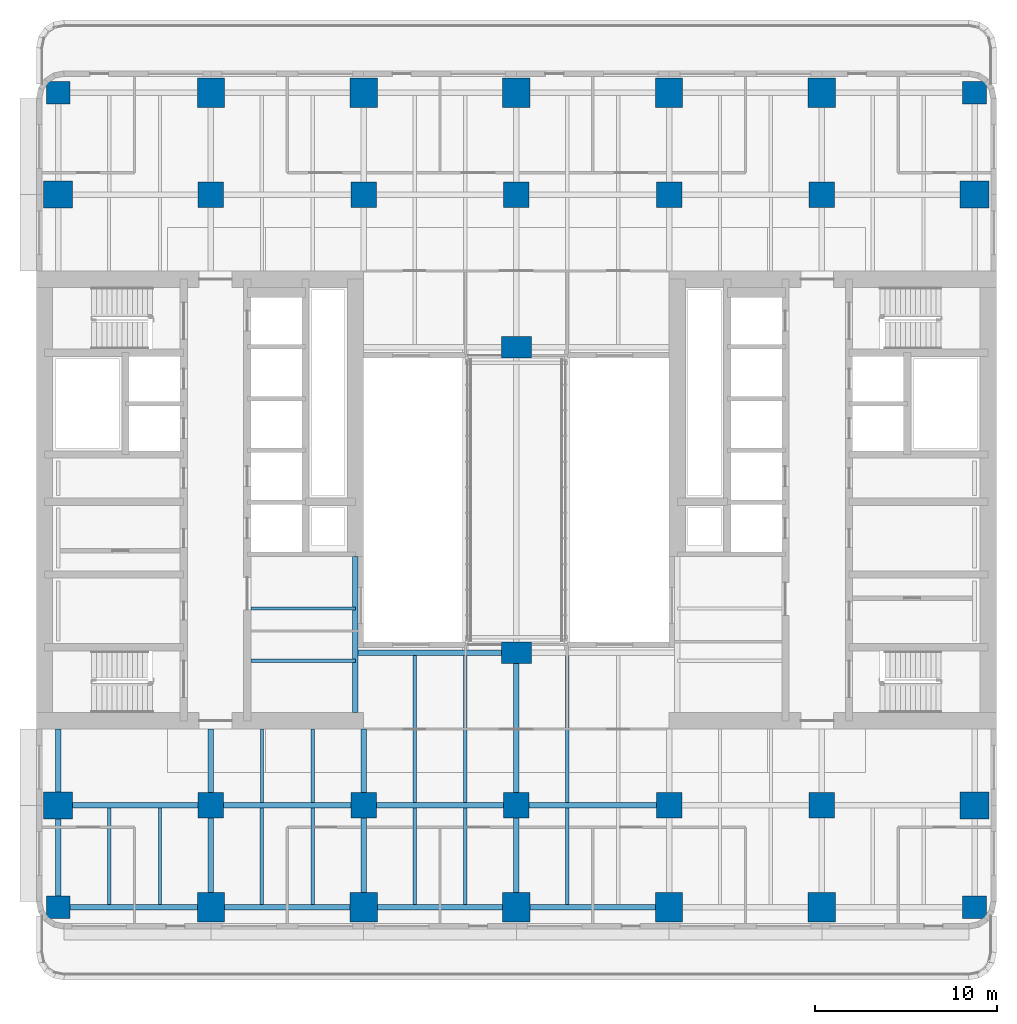
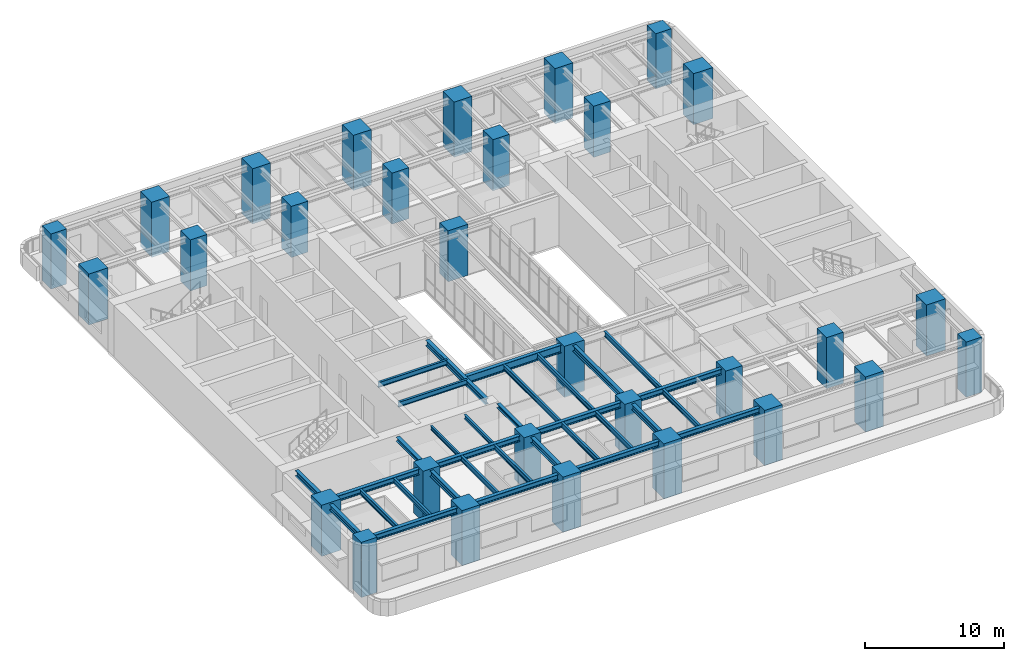
# One storey, part 1 of 17: 32 beams, 30 columns.
"""IFC4 building model written with IfcOpenShell, lengths in metres."""

from ifc_helpers import new_model, si_unit, direction, frame, origin, origin_2d, place, context, subcontext, project, spatial, rectangle, i_section, extrude, material, material_profile, profile_set, type_object, element, save


model = new_model("IFC4")

# Units and contexts
model_context = context("Model", 3, precision=1e-05, world=origin(), true_north=direction((0.0, 1.0)))
body_context = subcontext(model_context, "Body", "Model", "MODEL_VIEW")
ifc_project = project(units=[si_unit("LENGTHUNIT", "METRE"), si_unit("AREAUNIT", "SQUARE_METRE"), si_unit("VOLUMEUNIT", "CUBIC_METRE"), si_unit("PLANEANGLEUNIT", "RADIAN"), si_unit("MASSUNIT", "GRAM", prefix="KILO")], contexts=[model_context])

# Site, building, storey
site_placement = place(None, origin())
site = spatial("IfcSite", under=ifc_project, at=site_placement, CompositionType="ELEMENT")
building_placement = place(site_placement, origin())
building = spatial("IfcBuilding", under=site, at=building_placement, Name="Claustro Exchange Tower", CompositionType="ELEMENT")
storey_placement = place(building_placement, frame((0.0, 0.0, 96.300048828125)))
storey = spatial("IfcBuildingStorey", under=building, at=storey_placement, Name="L21", CompositionType="ELEMENT", Elevation=96.300048828125)

# Columns
ifc_material_1 = material(Name="Concrete HA-70 (C70/85)", Category="concrete")
ifc_material_profile_1 = material_profile(ifc_material_1, rectangle(XDim=1.39990234375, YDim=1.39990234375, at=origin_2d()), Name="RC 1400x1400")
ifc_profile_set_1 = profile_set([ifc_material_profile_1], Name="Concrete HA-70 (C70/85)")
column_type_1 = type_object("IfcColumnType", Name="C0 RC 1400x1400 HA-70 column", PredefinedType="COLUMN", material=ifc_profile_set_1)
for number, where, z_axis, x_axis, name in (
    (1, (8.39990234375, 8.39990234375, 0.0), (0.0, 0.0, 1.0), (1.0, 0.0, 0.0), "Column C0 2/B L21"),
    (2, (8.39990234375, 42.0, 0.0), (0.0, 0.0, 1.0), (1.0, 0.0, 0.0), "Column C0 2/F L21"),
    (3, (16.800048828125, 8.39990234375, 0.0), (0.0, 0.0, 1.0), (1.0, 0.0, 0.0), "Column C0 3/B L21"),
    (4, (16.800048828125, 42.0, 0.0), (0.0, 0.0, 1.0), (1.0, 0.0, 0.0), "Column C0 3/F L21"),
    (5, (25.199951171875, 8.39990234375, 0.0), (0.0, 0.0, 1.0), (1.0, 0.0, 0.0), "Column C0 4/B L21"),
    (6, (25.199951171875, 42.0, 0.0), (0.0, 0.0, 1.0), (1.0, 0.0, 0.0), "Column C0 4/F L21"),
    (7, (33.60009765625, 8.39990234375, 0.0), (0.0, 0.0, 1.0), (1.0, 0.0, 0.0), "Column C0 5/B L21"),
    (8, (33.60009765625, 42.0, 0.0), (0.0, 0.0, 1.0), (1.0, 0.0, 0.0), "Column C0 5/F L21"),
    (9, (42.0, 8.39990234375, 0.0), (0.0, 0.0, 1.0), (1.0, 0.0, 0.0), "Column C0 6/B L21"),
    (10, (42.0, 42.0, 0.0), (0.0, 0.0, 1.0), (1.0, 0.0, 0.0), "Column C0 6/F L21"),
):
    element("IfcColumn", number, at=place(storey_placement, frame(where, z_axis=z_axis, x_axis=x_axis)), inside=storey, type_object=column_type_1, Name=name, PredefinedType="COLUMN", context=body_context, shape_type="SweptSolid", body=[
        extrude(rectangle(XDim=1.39990234375, YDim=1.39990234375, at=origin_2d()), origin(), (0.0, 0.0, 1.0), 4.5),
    ])
ifc_material_2 = material(Name="Concrete HA-70 (C70/85)", Category="concrete")
ifc_material_profile_2 = material_profile(ifc_material_2, rectangle(XDim=1.64990234375, YDim=1.199951171875, at=origin_2d()), Name="RC 1650x1200")
ifc_profile_set_2 = profile_set([ifc_material_profile_2], Name="Concrete HA-70 (C70/85)")
column_type_2 = type_object("IfcColumnType", Name="C32 RC 1650x1200 HA-70 light well column", PredefinedType="COLUMN", material=ifc_profile_set_2)
for number, where, z_axis, x_axis, name in (
    (11, (25.199951171875, 16.800048828125, 0.0), (0.0, 0.0, 1.0), (1.0, 0.0, 0.0), "Column C32 4/C L21"),
    (12, (25.199951171875, 33.60009765625, 0.0), (0.0, 0.0, 1.0), (1.0, 0.0, 0.0), "Column C32 4/E L21"),
):
    element("IfcColumn", number, at=place(storey_placement, frame(where, z_axis=z_axis, x_axis=x_axis)), inside=storey, type_object=column_type_2, Name=name, PredefinedType="COLUMN", context=body_context, shape_type="SweptSolid", body=[
        extrude(rectangle(XDim=1.64990234375, YDim=1.199951171875, at=origin_2d()), origin(), (0.0, 0.0, 1.0), 4.5),
    ])
ifc_material_3 = material(Name="Concrete HA-70 (C70/85)", Category="concrete")
ifc_material_profile_3 = material_profile(ifc_material_3, rectangle(XDim=1.5, YDim=1.60009765625, at=origin_2d()), Name="RC 1500x1600")
ifc_profile_set_3 = profile_set([ifc_material_profile_3], Name="Concrete HA-70 (C70/85)")
column_type_3 = type_object("IfcColumnType", Name="C38 RC 1500x1600 HA-70 perimeter column", PredefinedType="COLUMN", material=ifc_profile_set_3)
for number, where, z_axis, x_axis, name in (
    (13, (0.0, 8.39990234375, 0.0), (0.0, 0.0, 1.0), (0.0, 1.0, 0.0), "Column C38 1/B L21"),
    (14, (0.0, 42.0, 0.0), (0.0, 0.0, 1.0), (0.0, 1.0, 0.0), "Column C38 1/F L21"),
):
    element("IfcColumn", number, at=place(storey_placement, frame(where, z_axis=z_axis, x_axis=x_axis)), inside=storey, type_object=column_type_3, Name=name, PredefinedType="COLUMN", context=body_context, shape_type="SweptSolid", body=[
        extrude(rectangle(XDim=1.5, YDim=1.60009765625, at=origin_2d()), origin(), (0.0, 0.0, 1.0), 4.5),
    ])
for number, where, z_axis, x_axis, name in (
    (15, (8.39990234375, 2.800048828125, -0.360107421875), (0.0, 0.0, 1.0), (1.0, 0.0, 0.0), "Column C38 2/A+2800 L21"),
    (16, (8.39990234375, 47.60009765625, -0.360107421875), (0.0, 0.0, 1.0), (1.0, 0.0, 0.0), "Column C38 2/F+5600 L21"),
    (17, (16.800048828125, 2.800048828125, -0.360107421875), (0.0, 0.0, 1.0), (1.0, 0.0, 0.0), "Column C38 3/A+2800 L21"),
    (18, (16.800048828125, 47.60009765625, -0.360107421875), (0.0, 0.0, 1.0), (1.0, 0.0, 0.0), "Column C38 3/F+5600 L21"),
    (19, (25.199951171875, 2.800048828125, -0.360107421875), (0.0, 0.0, 1.0), (1.0, 0.0, 0.0), "Column C38 4/A+2800 L21"),
    (20, (25.199951171875, 47.60009765625, -0.360107421875), (0.0, 0.0, 1.0), (1.0, 0.0, 0.0), "Column C38 4/F+5600 L21"),
    (21, (33.60009765625, 2.800048828125, -0.360107421875), (0.0, 0.0, 1.0), (1.0, 0.0, 0.0), "Column C38 5/A+2800 L21"),
    (22, (33.60009765625, 47.60009765625, -0.360107421875), (0.0, 0.0, 1.0), (1.0, 0.0, 0.0), "Column C38 5/F+5600 L21"),
    (23, (42.0, 2.800048828125, -0.360107421875), (0.0, 0.0, 1.0), (1.0, 0.0, 0.0), "Column C38 6/A+2800 L21"),
    (24, (42.0, 47.60009765625, -0.360107421875), (0.0, 0.0, 1.0), (1.0, 0.0, 0.0), "Column C38 6/F+5600 L21"),
):
    element("IfcColumn", number, at=place(storey_placement, frame(where, z_axis=z_axis, x_axis=x_axis)), inside=storey, type_object=column_type_3, Name=name, PredefinedType="COLUMN", context=body_context, shape_type="SweptSolid", body=[
        extrude(rectangle(XDim=1.5, YDim=1.60009765625, at=origin_2d()), origin(), (0.0, 0.0, 1.0), 4.860107421875),
    ])
for number, where, z_axis, x_axis, name in (
    (25, (50.39990234375, 8.39990234375, 0.0), (0.0, 0.0, 1.0), (0.0, 1.0, 0.0), "Column C38 7/B L21"),
    (26, (50.39990234375, 42.0, 0.0), (0.0, 0.0, 1.0), (0.0, 1.0, 0.0), "Column C38 7/F L21"),
):
    element("IfcColumn", number, at=place(storey_placement, frame(where, z_axis=z_axis, x_axis=x_axis)), inside=storey, type_object=column_type_3, Name=name, PredefinedType="COLUMN", context=body_context, shape_type="SweptSolid", body=[
        extrude(rectangle(XDim=1.5, YDim=1.60009765625, at=origin_2d()), origin(), (0.0, 0.0, 1.0), 4.5),
    ])
ifc_material_4 = material(Name="Concrete HA-70 (C70/85)", Category="concrete")
ifc_material_profile_4 = material_profile(ifc_material_4, rectangle(XDim=1.300048828125, YDim=1.25, at=origin_2d()), Name="RC 1300x1250")
ifc_profile_set_4 = profile_set([ifc_material_profile_4], Name="Concrete HA-70 (C70/85)")
column_type_4 = type_object("IfcColumnType", Name="C39 RC 1300x1250 HA-70 corner column", PredefinedType="COLUMN", material=ifc_profile_set_4)
for number, where, z_axis, x_axis, name in (
    (27, (0.0, 2.800048828125, -0.360107421875), (0.0, 0.0, 1.0), (1.0, 0.0, 0.0), "Column C39 1/A+2800 L21"),
    (28, (0.0, 47.60009765625, -0.360107421875), (0.0, 0.0, 1.0), (1.0, 0.0, 0.0), "Column C39 1/F+5600 L21"),
    (29, (50.39990234375, 2.800048828125, -0.360107421875), (0.0, 0.0, 1.0), (1.0, 0.0, 0.0), "Column C39 7/A+2800 L21"),
    (30, (50.39990234375, 47.60009765625, -0.360107421875), (0.0, 0.0, 1.0), (1.0, 0.0, 0.0), "Column C39 7/F+5600 L21"),
):
    element("IfcColumn", number, at=place(storey_placement, frame(where, z_axis=z_axis, x_axis=x_axis)), inside=storey, type_object=column_type_4, Name=name, PredefinedType="COLUMN", context=body_context, shape_type="SweptSolid", body=[
        extrude(rectangle(XDim=1.300048828125, YDim=1.25, at=origin_2d()), origin(), (0.0, 0.0, 1.0), 4.860107421875),
    ])

# Beams
ifc_material_5 = material(Name="Steel S355", Category="steel")
ifc_material_profile_5 = material_profile(ifc_material_5, i_section(OverallWidth=0.300048828125, OverallDepth=0.68994140625, WebThickness=0.014404296875, FlangeThickness=0.027099609375, FilletRadius=0.027099609375, at=origin_2d()), Name="HE 700 A")
ifc_profile_set_5 = profile_set([ifc_material_profile_5], Name="Steel S355")
beam_type_1 = type_object("IfcBeamType", Name="B13 HE 700 A light well edge girder", PredefinedType="BEAM", material=ifc_profile_set_5)
beam_1_placement = place(storey_placement, frame((16.35009765625, 16.800048828125, 4.0048828125), z_axis=(1.0, 0.0, 0.0), x_axis=(0.0, 1.0, 0.0)))
element("IfcBeam", 31, at=beam_1_placement, inside=storey, type_object=beam_type_1, Name="Beam B13 L22", PredefinedType="BEAM", context=body_context, shape_type="SweptSolid", body=[
    extrude(i_section(OverallWidth=0.300048828125, OverallDepth=0.68994140625, WebThickness=0.014404296875, FlangeThickness=0.027099609375, FilletRadius=0.027099609375, at=origin_2d()), origin(), (0.0, 0.0, 1.0), 8.849853515625),
])
ifc_material_6 = material(Name="Steel S355", Category="steel")
ifc_material_profile_6 = material_profile(ifc_material_6, i_section(OverallWidth=0.169921875, OverallDepth=0.360107421875, WebThickness=0.008056640625, FlangeThickness=0.0126953125, FilletRadius=0.01806640625, at=origin_2d()), Name="IPE 360")
ifc_profile_set_6 = profile_set([ifc_material_profile_6], Name="Steel S355")
beam_type_2 = type_object("IfcBeamType", Name="B16 IPE 360 short-span beam", PredefinedType="BEAM", material=ifc_profile_set_6)
for number, where, z_axis, x_axis, name in (
    (32, (11.199951171875, 8.550048828125, 4.169921875), (0.0, 1.0, 0.0), (-1.0, 0.0, 0.0), "Beam B16 L22"),
    (33, (14.0, 8.550048828125, 4.169921875), (0.0, 1.0, 0.0), (-1.0, 0.0, 0.0), "Beam B16 L22"),
):
    element("IfcBeam", number, at=place(storey_placement, frame(where, z_axis=z_axis, x_axis=x_axis)), inside=storey, type_object=beam_type_2, Name=name, PredefinedType="BEAM", context=body_context, shape_type="SweptSolid", body=[
        extrude(i_section(OverallWidth=0.169921875, OverallDepth=0.360107421875, WebThickness=0.008056640625, FlangeThickness=0.0126953125, FilletRadius=0.01806640625, at=origin_2d()), origin(), (0.0, 0.0, 1.0), 4.06005859375),
    ])
ifc_material_7 = material(Name="Steel S355", Category="steel")
ifc_material_profile_7 = material_profile(ifc_material_7, i_section(OverallWidth=0.300048828125, OverallDepth=0.360107421875, WebThickness=0.012451171875, FlangeThickness=0.0224609375, FilletRadius=0.027099609375, at=origin_2d()), Name="HE 360 B")
ifc_profile_set_7 = profile_set([ifc_material_profile_7], Name="Steel S355")
beam_type_3 = type_object("IfcBeamType", Name="B29 HE 360 B column to core link beam", PredefinedType="BEAM", material=ifc_profile_set_7)
for number, where, z_axis, x_axis, name in (
    (34, (8.39990234375, 8.39990234375, 4.169921875), (0.0, 1.0, 0.0), (-1.0, 0.0, 0.0), "Beam B29 L22"),
    (35, (16.800048828125, 8.39990234375, 4.169921875), (0.0, 1.0, 0.0), (-1.0, 0.0, 0.0), "Beam B29 L22"),
):
    element("IfcBeam", number, at=place(storey_placement, frame(where, z_axis=z_axis, x_axis=x_axis)), inside=storey, type_object=beam_type_3, Name=name, PredefinedType="BEAM", context=body_context, shape_type="SweptSolid", body=[
        extrude(i_section(OverallWidth=0.300048828125, OverallDepth=0.360107421875, WebThickness=0.012451171875, FlangeThickness=0.0224609375, FilletRadius=0.027099609375, at=origin_2d()), origin(), (0.0, 0.0, 1.0), 4.2001953125),
    ])
ifc_material_8 = material(Name="Steel S355", Category="steel")
ifc_material_profile_8 = material_profile(ifc_material_8, i_section(OverallWidth=0.300048828125, OverallDepth=0.5, WebThickness=0.014404296875, FlangeThickness=0.028076171875, FilletRadius=0.027099609375, at=origin_2d()), Name="HE 500 B")
ifc_profile_set_8 = profile_set([ifc_material_profile_8], Name="Steel S355")
beam_type_4 = type_object("IfcBeamType", Name="B7 HE 500 B floor girder", PredefinedType="BEAM", material=ifc_profile_set_8)
for number, where, z_axis, x_axis, name in (
    (36, (8.39990234375, 2.800048828125, 4.099853515625), (0.0, 1.0, 0.0), (-1.0, 0.0, 0.0), "Beam B7 L22"),
    (37, (16.800048828125, 2.800048828125, 4.099853515625), (0.0, 1.0, 0.0), (-1.0, 0.0, 0.0), "Beam B7 L22"),
    (38, (25.199951171875, 2.800048828125, 4.099853515625), (0.0, 1.0, 0.0), (-1.0, 0.0, 0.0), "Beam B7 L22"),
):
    element("IfcBeam", number, at=place(storey_placement, frame(where, z_axis=z_axis, x_axis=x_axis)), inside=storey, type_object=beam_type_4, Name=name, PredefinedType="BEAM", context=body_context, shape_type="SweptSolid", body=[
        extrude(i_section(OverallWidth=0.300048828125, OverallDepth=0.5, WebThickness=0.014404296875, FlangeThickness=0.028076171875, FilletRadius=0.027099609375, at=origin_2d()), origin(), (0.0, 0.0, 1.0), 5.599853515625),
    ])
beam_2_placement = place(storey_placement, frame((25.199951171875, 8.39990234375, 4.099853515625), z_axis=(0.0, 1.0, 0.0), x_axis=(-1.0, 0.0, 0.0)))
element("IfcBeam", 39, at=beam_2_placement, inside=storey, type_object=beam_type_4, Name="Beam B7 L22", PredefinedType="BEAM", context=body_context, shape_type="SweptSolid", body=[
    extrude(i_section(OverallWidth=0.300048828125, OverallDepth=0.5, WebThickness=0.014404296875, FlangeThickness=0.028076171875, FilletRadius=0.027099609375, at=origin_2d()), origin(), (0.0, 0.0, 1.0), 8.400146484375),
])
beam_3_placement = place(storey_placement, frame((0.0, 8.39990234375, 4.099853515625), z_axis=(1.0, 0.0, 0.0), x_axis=(0.0, 1.0, 0.0)))
element("IfcBeam", 40, at=beam_3_placement, inside=storey, type_object=beam_type_4, Name="Beam B7 L22", PredefinedType="BEAM", context=body_context, shape_type="SweptSolid", body=[
    extrude(i_section(OverallWidth=0.300048828125, OverallDepth=0.5, WebThickness=0.014404296875, FlangeThickness=0.028076171875, FilletRadius=0.027099609375, at=origin_2d()), origin(), (0.0, 0.0, 1.0), 8.39990234375),
])
beam_4_placement = place(storey_placement, frame((8.39990234375, 8.39990234375, 4.099853515625), z_axis=(1.0, 0.0, 0.0), x_axis=(0.0, 1.0, 0.0)))
element("IfcBeam", 41, at=beam_4_placement, inside=storey, type_object=beam_type_4, Name="Beam B7 L22", PredefinedType="BEAM", context=body_context, shape_type="SweptSolid", body=[
    extrude(i_section(OverallWidth=0.300048828125, OverallDepth=0.5, WebThickness=0.014404296875, FlangeThickness=0.028076171875, FilletRadius=0.027099609375, at=origin_2d()), origin(), (0.0, 0.0, 1.0), 8.400146484375),
])
beam_5_placement = place(storey_placement, frame((16.800048828125, 8.39990234375, 4.099853515625), z_axis=(1.0, 0.0, 0.0), x_axis=(0.0, 1.0, 0.0)))
element("IfcBeam", 42, at=beam_5_placement, inside=storey, type_object=beam_type_4, Name="Beam B7 L22", PredefinedType="BEAM", context=body_context, shape_type="SweptSolid", body=[
    extrude(i_section(OverallWidth=0.300048828125, OverallDepth=0.5, WebThickness=0.014404296875, FlangeThickness=0.028076171875, FilletRadius=0.027099609375, at=origin_2d()), origin(), (0.0, 0.0, 1.0), 8.39990234375),
])
beam_6_placement = place(storey_placement, frame((25.199951171875, 8.39990234375, 4.099853515625), z_axis=(1.0, 0.0, 0.0), x_axis=(0.0, 1.0, 0.0)))
element("IfcBeam", 43, at=beam_6_placement, inside=storey, type_object=beam_type_4, Name="Beam B7 L22", PredefinedType="BEAM", context=body_context, shape_type="SweptSolid", body=[
    extrude(i_section(OverallWidth=0.300048828125, OverallDepth=0.5, WebThickness=0.014404296875, FlangeThickness=0.028076171875, FilletRadius=0.027099609375, at=origin_2d()), origin(), (0.0, 0.0, 1.0), 8.400146484375),
])
beam_7_placement = place(storey_placement, frame((16.35009765625, 13.5, 4.099853515625), z_axis=(0.0, 1.0, 0.0), x_axis=(-1.0, 0.0, 0.0)))
element("IfcBeam", 44, at=beam_7_placement, inside=storey, type_object=beam_type_4, Name="Beam B7 core step framing L22", PredefinedType="BEAM", context=body_context, shape_type="SweptSolid", body=[
    extrude(i_section(OverallWidth=0.300048828125, OverallDepth=0.5, WebThickness=0.014404296875, FlangeThickness=0.028076171875, FilletRadius=0.027099609375, at=origin_2d()), origin(), (0.0, 0.0, 1.0), 8.60009765625),
])
ifc_material_9 = material(Name="Steel S355", Category="steel")
ifc_material_profile_9 = material_profile(ifc_material_9, i_section(OverallWidth=0.18994140625, OverallDepth=0.449951171875, WebThickness=0.009521484375, FlangeThickness=0.0146484375, FilletRadius=0.02099609375, at=origin_2d()), Name="IPE 450")
ifc_profile_set_9 = profile_set([ifc_material_profile_9], Name="Steel S355")
beam_type_5 = type_object("IfcBeamType", Name="B8 IPE 450 secondary beam", PredefinedType="BEAM", material=ifc_profile_set_9)
for number, where, z_axis, x_axis, name in (
    (45, (2.800048828125, 2.949951171875, 4.125), (0.0, 1.0, 0.0), (-1.0, 0.0, 0.0), "Beam B8 L22"),
    (46, (5.60009765625, 2.949951171875, 4.125), (0.0, 1.0, 0.0), (-1.0, 0.0, 0.0), "Beam B8 L22"),
    (47, (11.199951171875, 2.949951171875, 4.125), (0.0, 1.0, 0.0), (-1.0, 0.0, 0.0), "Beam B8 L22"),
    (48, (14.0, 2.949951171875, 4.125), (0.0, 1.0, 0.0), (-1.0, 0.0, 0.0), "Beam B8 L22"),
    (49, (19.60009765625, 2.949951171875, 4.125), (0.0, 1.0, 0.0), (-1.0, 0.0, 0.0), "Beam B8 L22"),
    (50, (22.39990234375, 2.949951171875, 4.125), (0.0, 1.0, 0.0), (-1.0, 0.0, 0.0), "Beam B8 L22"),
):
    element("IfcBeam", number, at=place(storey_placement, frame(where, z_axis=z_axis, x_axis=x_axis)), inside=storey, type_object=beam_type_5, Name=name, PredefinedType="BEAM", context=body_context, shape_type="SweptSolid", body=[
        extrude(i_section(OverallWidth=0.18994140625, OverallDepth=0.449951171875, WebThickness=0.009521484375, FlangeThickness=0.0146484375, FilletRadius=0.02099609375, at=origin_2d()), origin(), (0.0, 0.0, 1.0), 5.300048828125),
    ])
for number, where, z_axis, x_axis, name in (
    (51, (19.60009765625, 8.550048828125, 4.125), (0.0, 1.0, 0.0), (-1.0, 0.0, 0.0), "Beam B8 L22"),
    (52, (22.39990234375, 8.550048828125, 4.125), (0.0, 1.0, 0.0), (-1.0, 0.0, 0.0), "Beam B8 L22"),
):
    element("IfcBeam", number, at=place(storey_placement, frame(where, z_axis=z_axis, x_axis=x_axis)), inside=storey, type_object=beam_type_5, Name=name, PredefinedType="BEAM", context=body_context, shape_type="SweptSolid", body=[
        extrude(i_section(OverallWidth=0.18994140625, OverallDepth=0.449951171875, WebThickness=0.009521484375, FlangeThickness=0.0146484375, FilletRadius=0.02099609375, at=origin_2d()), origin(), (0.0, 0.0, 1.0), 8.099853515625),
    ])
beam_8_placement = place(storey_placement, frame((28.0, 2.949951171875, 4.125), z_axis=(0.0, 1.0, 0.0), x_axis=(-1.0, 0.0, 0.0)))
element("IfcBeam", 53, at=beam_8_placement, inside=storey, type_object=beam_type_5, Name="Beam B8 L22", PredefinedType="BEAM", context=body_context, shape_type="SweptSolid", body=[
    extrude(i_section(OverallWidth=0.18994140625, OverallDepth=0.449951171875, WebThickness=0.009521484375, FlangeThickness=0.0146484375, FilletRadius=0.02099609375, at=origin_2d()), origin(), (0.0, 0.0, 1.0), 5.300048828125),
])
beam_9_placement = place(storey_placement, frame((28.0, 8.550048828125, 4.125), z_axis=(0.0, 1.0, 0.0), x_axis=(-1.0, 0.0, 0.0)))
element("IfcBeam", 54, at=beam_9_placement, inside=storey, type_object=beam_type_5, Name="Beam B8 L22", PredefinedType="BEAM", context=body_context, shape_type="SweptSolid", body=[
    extrude(i_section(OverallWidth=0.18994140625, OverallDepth=0.449951171875, WebThickness=0.009521484375, FlangeThickness=0.0146484375, FilletRadius=0.02099609375, at=origin_2d()), origin(), (0.0, 0.0, 1.0), 8.099853515625),
])
for number, where, z_axis, x_axis, name in (
    (55, (10.60009765625, 16.36669921875, 4.125), (1.0, 0.0, 0.0), (0.0, 1.0, 0.0), "Beam B8 core step framing L22"),
    (56, (10.60009765625, 19.2333984375, 4.125), (1.0, 0.0, 0.0), (0.0, 1.0, 0.0), "Beam B8 core step framing L22"),
):
    element("IfcBeam", number, at=place(storey_placement, frame(where, z_axis=z_axis, x_axis=x_axis)), inside=storey, type_object=beam_type_5, Name=name, PredefinedType="BEAM", context=body_context, shape_type="SweptSolid", body=[
        extrude(i_section(OverallWidth=0.18994140625, OverallDepth=0.449951171875, WebThickness=0.009521484375, FlangeThickness=0.0146484375, FilletRadius=0.02099609375, at=origin_2d()), origin(), (0.0, 0.0, 1.0), 5.75),
    ])
ifc_material_10 = material(Name="Steel S355", Category="steel")
ifc_material_profile_10 = material_profile(ifc_material_10, i_section(OverallWidth=0.300048828125, OverallDepth=0.489990234375, WebThickness=0.011962890625, FlangeThickness=0.02294921875, FilletRadius=0.027099609375, at=origin_2d()), Name="HE 500 A")
ifc_profile_set_10 = profile_set([ifc_material_profile_10], Name="Steel S355")
beam_type_6 = type_object("IfcBeamType", Name="B9 HE 500 A spandrel edge girder", PredefinedType="SPANDREL", material=ifc_profile_set_10)
beam_10_placement = place(storey_placement, frame((0.0, 2.800048828125, 4.10498046875), z_axis=(0.0, 1.0, 0.0), x_axis=(-1.0, 0.0, 0.0)))
element("IfcBeam", 57, at=beam_10_placement, inside=storey, type_object=beam_type_6, Name="Beam B9 L22", PredefinedType="SPANDREL", context=body_context, shape_type="SweptSolid", body=[
    extrude(i_section(OverallWidth=0.300048828125, OverallDepth=0.489990234375, WebThickness=0.011962890625, FlangeThickness=0.02294921875, FilletRadius=0.027099609375, at=origin_2d()), origin(), (0.0, 0.0, 1.0), 5.599853515625),
])
beam_11_placement = place(storey_placement, frame((0.0, 8.39990234375, 4.10498046875), z_axis=(0.0, 1.0, 0.0), x_axis=(-1.0, 0.0, 0.0)))
element("IfcBeam", 58, at=beam_11_placement, inside=storey, type_object=beam_type_6, Name="Beam B9 L22", PredefinedType="SPANDREL", context=body_context, shape_type="SweptSolid", body=[
    extrude(i_section(OverallWidth=0.300048828125, OverallDepth=0.489990234375, WebThickness=0.011962890625, FlangeThickness=0.02294921875, FilletRadius=0.027099609375, at=origin_2d()), origin(), (0.0, 0.0, 1.0), 4.2001953125),
])
beam_12_placement = place(storey_placement, frame((0.0, 2.800048828125, 4.10498046875), z_axis=(1.0, 0.0, 0.0), x_axis=(0.0, 1.0, 0.0)))
element("IfcBeam", 59, at=beam_12_placement, inside=storey, type_object=beam_type_6, Name="Beam B9 L22", PredefinedType="SPANDREL", context=body_context, shape_type="SweptSolid", body=[
    extrude(i_section(OverallWidth=0.300048828125, OverallDepth=0.489990234375, WebThickness=0.011962890625, FlangeThickness=0.02294921875, FilletRadius=0.027099609375, at=origin_2d()), origin(), (0.0, 0.0, 1.0), 8.39990234375),
])
beam_13_placement = place(storey_placement, frame((8.39990234375, 2.800048828125, 4.10498046875), z_axis=(1.0, 0.0, 0.0), x_axis=(0.0, 1.0, 0.0)))
element("IfcBeam", 60, at=beam_13_placement, inside=storey, type_object=beam_type_6, Name="Beam B9 L22", PredefinedType="SPANDREL", context=body_context, shape_type="SweptSolid", body=[
    extrude(i_section(OverallWidth=0.300048828125, OverallDepth=0.489990234375, WebThickness=0.011962890625, FlangeThickness=0.02294921875, FilletRadius=0.027099609375, at=origin_2d()), origin(), (0.0, 0.0, 1.0), 8.400146484375),
])
beam_14_placement = place(storey_placement, frame((16.800048828125, 2.800048828125, 4.10498046875), z_axis=(1.0, 0.0, 0.0), x_axis=(0.0, 1.0, 0.0)))
element("IfcBeam", 61, at=beam_14_placement, inside=storey, type_object=beam_type_6, Name="Beam B9 L22", PredefinedType="SPANDREL", context=body_context, shape_type="SweptSolid", body=[
    extrude(i_section(OverallWidth=0.300048828125, OverallDepth=0.489990234375, WebThickness=0.011962890625, FlangeThickness=0.02294921875, FilletRadius=0.027099609375, at=origin_2d()), origin(), (0.0, 0.0, 1.0), 8.39990234375),
])
beam_15_placement = place(storey_placement, frame((25.199951171875, 2.800048828125, 4.10498046875), z_axis=(1.0, 0.0, 0.0), x_axis=(0.0, 1.0, 0.0)))
element("IfcBeam", 62, at=beam_15_placement, inside=storey, type_object=beam_type_6, Name="Beam B9 L22", PredefinedType="SPANDREL", context=body_context, shape_type="SweptSolid", body=[
    extrude(i_section(OverallWidth=0.300048828125, OverallDepth=0.489990234375, WebThickness=0.011962890625, FlangeThickness=0.02294921875, FilletRadius=0.027099609375, at=origin_2d()), origin(), (0.0, 0.0, 1.0), 8.400146484375),
])

save(model, "model.ifc")
